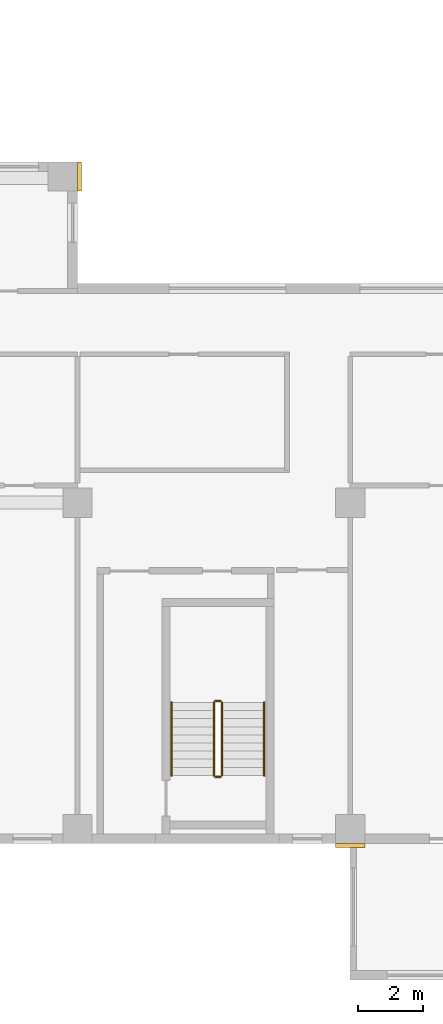
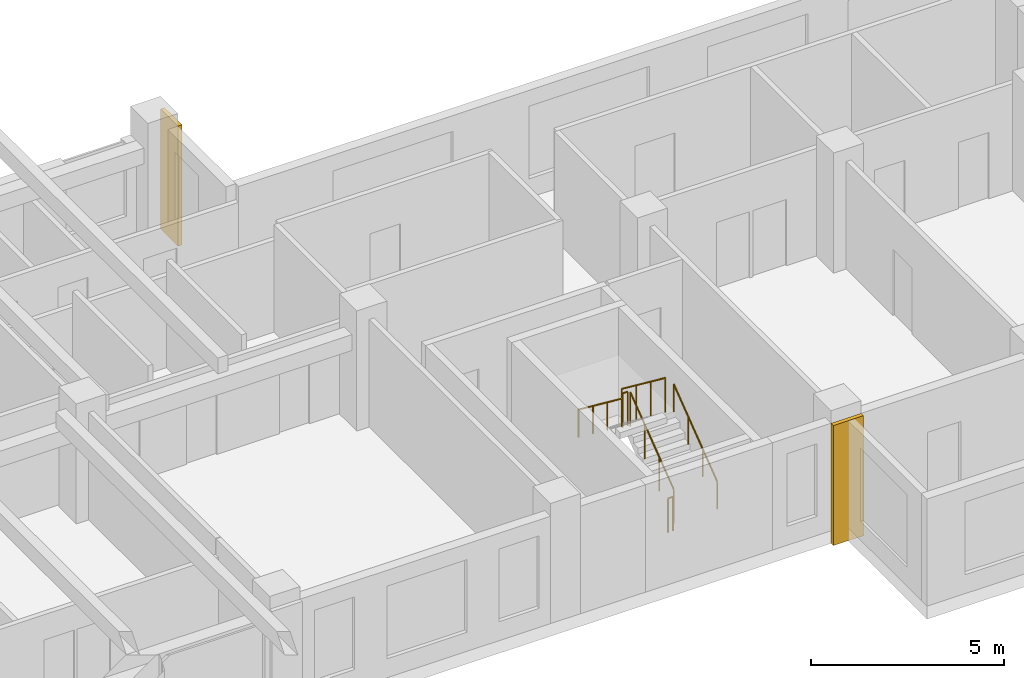
# One storey, part 11 of 12: 6 railings, 2 coverings.
"""IFC4 building model written with IfcOpenShell, lengths in metres."""

from ifc_helpers import new_model, si_unit, direction, frame, origin, origin_2d, place, context, subcontext, project, spatial, rectangle, circle, extrude, source, transform, mapped, material, type_object, element, save


model = new_model("IFC4")

# Units and contexts
model_context = context("Model", 3, precision=1e-05, world=origin(), true_north=direction((0.0, 1.0)))
body_context = subcontext(model_context, "Body", "Model", "MODEL_VIEW")
ifc_project = project(units=[si_unit("LENGTHUNIT", "METRE"), si_unit("AREAUNIT", "SQUARE_METRE"), si_unit("VOLUMEUNIT", "CUBIC_METRE"), si_unit("PLANEANGLEUNIT", "RADIAN"), si_unit("MASSUNIT", "GRAM", prefix="KILO")], contexts=[model_context])

# Site, building, storey
site_placement = place(None, origin())
site = spatial("IfcSite", under=ifc_project, at=site_placement, CompositionType="ELEMENT")
building_placement = place(site_placement, origin())
building = spatial("IfcBuilding", under=site, at=building_placement, Name="Aurelian Terraces", CompositionType="ELEMENT")
storey_placement = place(building_placement, frame((0.0, 0.0, 189.2)))
storey = spatial("IfcBuildingStorey", under=building, at=storey_placement, Name="L41", CompositionType="ELEMENT", Elevation=189.2)

# Coverings
ifc_material_1 = material(Name="Terracotta rainscreen cladding relief", Category="masonry")
covering_type = type_object("IfcCoveringType", Name="BAGUETTE-TC", PredefinedType="CLADDING", material=ifc_material_1)
shared_shape_1 = source(origin(), body_context, "Body", "SweptSolid", [
    extrude(rectangle(XDim=0.9, YDim=0.12, at=origin_2d()), origin(), (0.0, 0.0, 1.0), 3.8),
])
covering_1_placement = place(storey_placement, frame((46.2, -0.06, -0.4), z_axis=(0.0, 0.0, 1.0), x_axis=(1.0, 0.0, 0.0)))
element("IfcCovering", 1, at=covering_1_placement, inside=storey, type_object=covering_type, Name="BAGUETTE pier L41 3", PredefinedType="CLADDING", context=body_context, shape_type="MappedRepresentation", body=[
    mapped(shared_shape_1, transform((0.0, 0.0, 0.0), scale=1.0)),
])
shared_shape_2 = source(origin(), body_context, "Body", "SweptSolid", [
    extrude(rectangle(XDim=0.12, YDim=0.9, at=origin_2d()), origin(), (0.0, 0.0, 1.0), 3.8),
])
covering_2_placement = place(storey_placement, frame((37.86, 20.55, -0.4), z_axis=(0.0, 0.0, 1.0), x_axis=(1.0, 0.0, 0.0)))
element("IfcCovering", 2, at=covering_2_placement, inside=storey, type_object=covering_type, Name="BAGUETTE pier L41 6", PredefinedType="CLADDING", context=body_context, shape_type="MappedRepresentation", body=[
    mapped(shared_shape_2, transform((0.0, 0.0, 0.0), scale=1.0)),
])

# Railings
ifc_material_2 = material(Name="Stainless steel", Category="steel")
railing_type_1 = type_object("IfcRailingType", Name="Stair guard 1100", PredefinedType="GUARDRAIL", material=ifc_material_2)
shared_shape_3 = source(origin(), body_context, "Body", "SweptSolid", [
    extrude(circle(Radius=0.024, at=origin_2d()), frame((0.0, 0.0, 1.076), z_axis=(-1.0, 0.0, 0.0), x_axis=(0.0, -1.0, 0.0)), (0.0, 0.0, 1.0), 0.15),
    extrude(circle(Radius=0.021, at=origin_2d()), origin(), (0.0, 0.0, 1.0), 1.052),
    extrude(circle(Radius=0.021, at=origin_2d()), frame((-0.15, 0.0, 0.0)), (0.0, 0.0, 1.0), 1.052),
])
for number, where, name in (
    (3, (42.2, 4.4, 1.9), "L41 S2 stair guard 2"),
    (4, (42.2, 2.05, 0.0), "L41 S2 stair guard 4"),
):
    element("IfcRailing", number, at=place(storey_placement, frame(where)), inside=storey, type_object=railing_type_1, Name=name, PredefinedType="GUARDRAIL", context=body_context, shape_type="MappedRepresentation", body=[
        mapped(shared_shape_3, transform((0.0, 0.0, 0.0), scale=1.0)),
    ])
shared_shape_4 = source(origin(), body_context, "Body", "SweptSolid", [
    extrude(circle(Radius=0.024, at=origin_2d()), frame((0.0, 0.0, 1.076), z_axis=(0.0, 0.796162194123, 0.605083267534), x_axis=(-1.0, 0.0, 0.0)), (0.0, 0.0, 1.0), 2.8261),
    extrude(circle(Radius=0.021, at=origin_2d()), origin(), (0.0, 0.0, 1.0), 1.052),
    extrude(circle(Radius=0.021, at=origin_2d()), frame((0.0, 0.75, 0.57)), (0.0, 0.0, 1.0), 1.052),
    extrude(circle(Radius=0.021, at=origin_2d()), frame((0.0, 1.5, 1.14)), (0.0, 0.0, 1.0), 1.052),
    extrude(circle(Radius=0.021, at=origin_2d()), frame((0.0, 2.25, 1.71)), (0.0, 0.0, 1.0), 1.052),
])
railing_1_placement = place(storey_placement, frame((42.25, 2.1, 0.19)))
element("IfcRailing", 5, at=railing_1_placement, inside=storey, type_object=railing_type_1, Name="L41 S2 stair guard 1", PredefinedType="GUARDRAIL", context=body_context, shape_type="MappedRepresentation", body=[
    mapped(shared_shape_4, transform((0.0, 0.0, 0.0), scale=1.0)),
])
shared_shape_5 = source(origin(), body_context, "Body", "SweptSolid", [
    extrude(circle(Radius=0.024, at=origin_2d()), frame((0.0, 0.0, 1.076), z_axis=(0.0, -0.796162194123, 0.605083267534), x_axis=(1.0, 0.0, 0.0)), (0.0, 0.0, 1.0), 2.8261),
    extrude(circle(Radius=0.021, at=origin_2d()), origin(), (0.0, 0.0, 1.0), 1.052),
    extrude(circle(Radius=0.021, at=origin_2d()), frame((0.0, -0.75, 0.57)), (0.0, 0.0, 1.0), 1.052),
    extrude(circle(Radius=0.021, at=origin_2d()), frame((0.0, -1.5, 1.14)), (0.0, 0.0, 1.0), 1.052),
    extrude(circle(Radius=0.021, at=origin_2d()), frame((0.0, -2.25, 1.71)), (0.0, 0.0, 1.0), 1.052),
])
railing_2_placement = place(storey_placement, frame((42.0, 4.35, 2.09)))
element("IfcRailing", 6, at=railing_2_placement, inside=storey, type_object=railing_type_1, Name="L41 S2 stair guard 3", PredefinedType="GUARDRAIL", context=body_context, shape_type="MappedRepresentation", body=[
    mapped(shared_shape_5, transform((0.0, 0.0, 0.0), scale=1.0)),
])
railing_type_2 = type_object("IfcRailingType", Name="Stair handrail", PredefinedType="HANDRAIL", material=ifc_material_2)
shared_shape_6 = source(origin(), body_context, "Body", "SweptSolid", [
    extrude(circle(Radius=0.024, at=origin_2d()), frame((0.0, 0.0, 0.876), z_axis=(0.0, 0.796162194123, 0.605083267534), x_axis=(-1.0, 0.0, 0.0)), (0.0, 0.0, 1.0), 2.8261),
    extrude(circle(Radius=0.021, at=origin_2d()), origin(), (0.0, 0.0, 1.0), 0.852),
    extrude(circle(Radius=0.021, at=origin_2d()), frame((0.0, 0.75, 0.57)), (0.0, 0.0, 1.0), 0.852),
    extrude(circle(Radius=0.021, at=origin_2d()), frame((0.0, 1.5, 1.14)), (0.0, 0.0, 1.0), 0.852),
    extrude(circle(Radius=0.021, at=origin_2d()), frame((0.0, 2.25, 1.71)), (0.0, 0.0, 1.0), 0.852),
])
railing_3_placement = place(storey_placement, frame((43.55, 2.1, 0.19)))
element("IfcRailing", 7, at=railing_3_placement, inside=storey, type_object=railing_type_2, Name="L41 S2 stair handrail 1", PredefinedType="HANDRAIL", context=body_context, shape_type="MappedRepresentation", body=[
    mapped(shared_shape_6, transform((0.0, 0.0, 0.0), scale=1.0)),
])
shared_shape_7 = source(origin(), body_context, "Body", "SweptSolid", [
    extrude(circle(Radius=0.024, at=origin_2d()), frame((0.0, 0.0, 0.876), z_axis=(0.0, -0.796162194123, 0.605083267534), x_axis=(1.0, 0.0, 0.0)), (0.0, 0.0, 1.0), 2.8261),
    extrude(circle(Radius=0.021, at=origin_2d()), origin(), (0.0, 0.0, 1.0), 0.852),
    extrude(circle(Radius=0.021, at=origin_2d()), frame((0.0, -0.75, 0.57)), (0.0, 0.0, 1.0), 0.852),
    extrude(circle(Radius=0.021, at=origin_2d()), frame((0.0, -1.5, 1.14)), (0.0, 0.0, 1.0), 0.852),
    extrude(circle(Radius=0.021, at=origin_2d()), frame((0.0, -2.25, 1.71)), (0.0, 0.0, 1.0), 0.852),
])
railing_4_placement = place(storey_placement, frame((40.7, 4.35, 2.09)))
element("IfcRailing", 8, at=railing_4_placement, inside=storey, type_object=railing_type_2, Name="L41 S2 stair handrail 2", PredefinedType="HANDRAIL", context=body_context, shape_type="MappedRepresentation", body=[
    mapped(shared_shape_7, transform((0.0, 0.0, 0.0), scale=1.0)),
])

save(model, "model.ifc")
